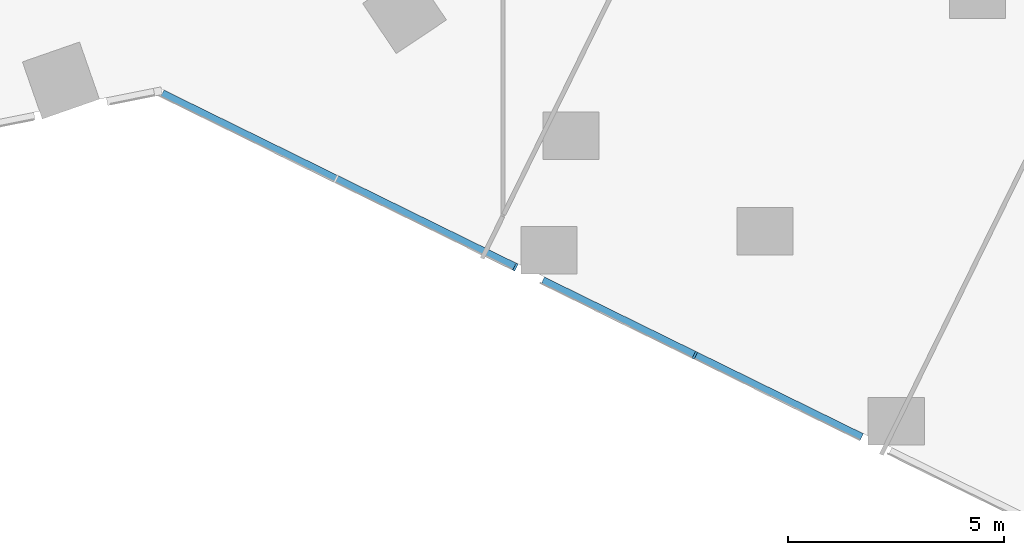
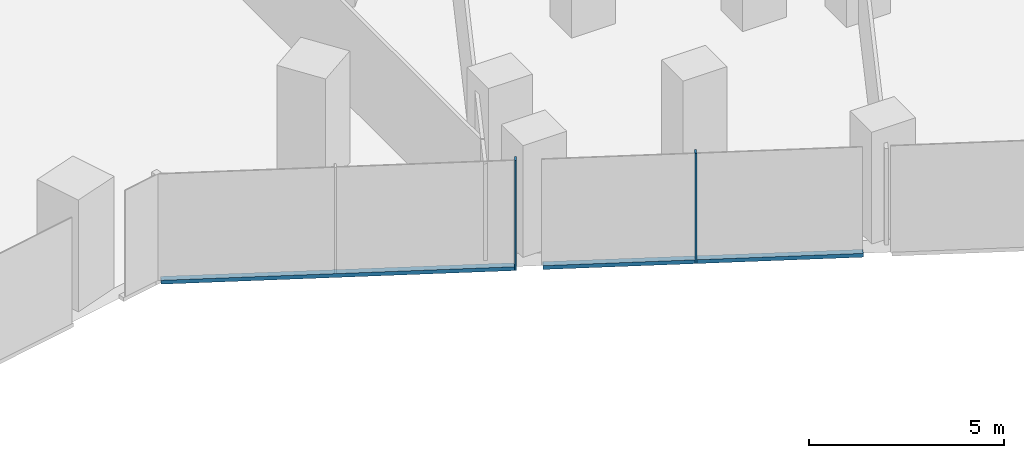
# One storey, part 9 of 38: 4 members, 1 element without a shape of its own.
"""IFC4 building model written with IfcOpenShell, lengths in metres."""

from ifc_helpers import new_model, si_unit, direction, frame, origin, origin_2d, place, context, subcontext, project, spatial, rectangle, extrude, material, material_profile, profile_set, type_object, element, aggregate, save


model = new_model("IFC4")

# Units and contexts
model_context = context("Model", 3, precision=1e-05, world=origin(), true_north=direction((0.0, 1.0)))
body_context = subcontext(model_context, "Body", "Model", "MODEL_VIEW")
ifc_project = project(units=[si_unit("LENGTHUNIT", "METRE"), si_unit("AREAUNIT", "SQUARE_METRE"), si_unit("VOLUMEUNIT", "CUBIC_METRE"), si_unit("PLANEANGLEUNIT", "RADIAN"), si_unit("MASSUNIT", "GRAM", prefix="KILO")], contexts=[model_context])

# Site, building, storey
site_placement = place(None, origin())
site = spatial("IfcSite", under=ifc_project, at=site_placement, CompositionType="ELEMENT")
building_placement = place(site_placement, origin())
building = spatial("IfcBuilding", under=site, at=building_placement, Name="Orlundy Tower", CompositionType="ELEMENT")
storey_placement = place(building_placement, frame((0.0, 0.0, 69.300048828125)))
storey = spatial("IfcBuildingStorey", under=building, at=storey_placement, Name="L16", CompositionType="ELEMENT", Elevation=69.300048828125)

# Curtain wall, members
ifc_material_1 = material(Name="Aluminium bronze anodised", Category="aluminium")
curtain_wall_type = type_object("IfcCurtainWallType", Name="CW1 wall", PredefinedType="NOTDEFINED", material=ifc_material_1)
curtain_wall_placement = place(storey_placement, origin())
curtain_wall = element("IfcCurtainWall", 1, at=curtain_wall_placement, inside=storey, type_object=curtain_wall_type, Name="CW1 run 00", PredefinedType="NOTDEFINED")
ifc_material_2 = material(Name="Aluminium bronze anodised", Category="aluminium")
ifc_material_profile_1 = material_profile(ifc_material_2, rectangle(XDim=0.179931640625, YDim=0.050048828125, at=origin_2d()), Name="CW1 mullion 50x180")
ifc_profile_set_1 = profile_set([ifc_material_profile_1], Name="Aluminium bronze anodised")
member_type_1 = type_object("IfcMemberType", Name="CW1 mullion 50x180", PredefinedType="MULLION", material=ifc_profile_set_1)
member_1_placement = place(storey_placement, frame((24.44580078125, -34.394775390625, -0.400146484375), z_axis=(0.0, 0.0, 1.0), x_axis=(-0.440968989984, -0.897522339484, 0.0)))
member_1 = element("IfcMember", 2, at=member_1_placement, type_object=member_type_1, Name="CW1 mullion 4", PredefinedType="MULLION", context=body_context, shape_type="SweptSolid", body=[
    extrude(rectangle(XDim=0.179931640625, YDim=0.050048828125, at=origin_2d()), origin(), (0.0, 0.0, 1.0), 3.4501953125),
])
member_2_placement = place(storey_placement, frame((20.28955078125, -32.352783203125, -0.400146484375), z_axis=(0.0, 0.0, 1.0), x_axis=(-0.440968989984, -0.897522339484, 0.0)))
member_2 = element("IfcMember", 3, at=member_2_placement, type_object=member_type_1, Name="CW1 mullion 5", PredefinedType="MULLION", context=body_context, shape_type="SweptSolid", body=[
    extrude(rectangle(XDim=0.179931640625, YDim=0.050048828125, at=origin_2d()), origin(), (0.0, 0.0, 1.0), 3.4501953125),
])
ifc_material_3 = material(Name="Aluminium bronze anodised", Category="aluminium")
ifc_material_profile_2 = material_profile(ifc_material_3, rectangle(XDim=0.179931640625, YDim=0.1201171875, at=origin_2d()), Name="CW1 transom 180x120")
ifc_profile_set_2 = profile_set([ifc_material_profile_2], Name="Aluminium bronze anodised")
member_type_2 = type_object("IfcMemberType", Name="CW1 transom 180x120", PredefinedType="USERDEFINED", material=ifc_profile_set_2)
member_3_placement = place(storey_placement, frame((28.31103515625, -36.293701171875, -0.340087890625), z_axis=(-0.897531468233, 0.440950409379, 0.0), x_axis=(-0.440950409379, -0.897531468233, 0.0)))
member_3 = element("IfcMember", 4, at=member_3_placement, type_object=member_type_2, Name="CW1 transom", ObjectType="TRANSOM", PredefinedType="USERDEFINED", context=body_context, shape_type="SweptSolid", body=[
    extrude(rectangle(XDim=0.179931640625, YDim=0.1201171875, at=origin_2d()), origin(), (0.0, 0.0, 1.0), 8.2314453125),
])
member_4_placement = place(storey_placement, frame((20.262939453125, -32.339599609375, -0.340087890625), z_axis=(-0.897527093527, 0.440959313752, 0.0), x_axis=(-0.440959313752, -0.897527093527, 0.0)))
member_4 = element("IfcMember", 5, at=member_4_placement, type_object=member_type_2, Name="CW1 transom", ObjectType="TRANSOM", PredefinedType="USERDEFINED", context=body_context, shape_type="SweptSolid", body=[
    extrude(rectangle(XDim=0.179931640625, YDim=0.1201171875, at=origin_2d()), origin(), (0.0, 0.0, 1.0), 9.087646484375),
])
aggregate(curtain_wall, [member_1, member_2, member_3, member_4])

save(model, "model.ifc")
